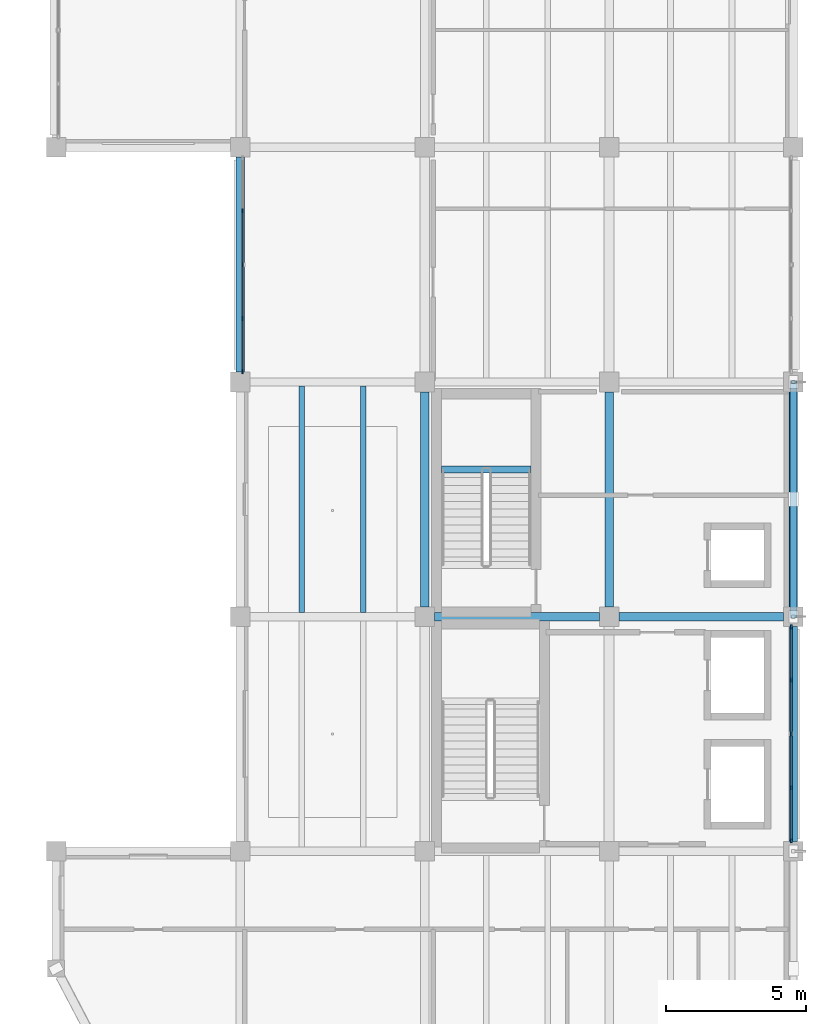
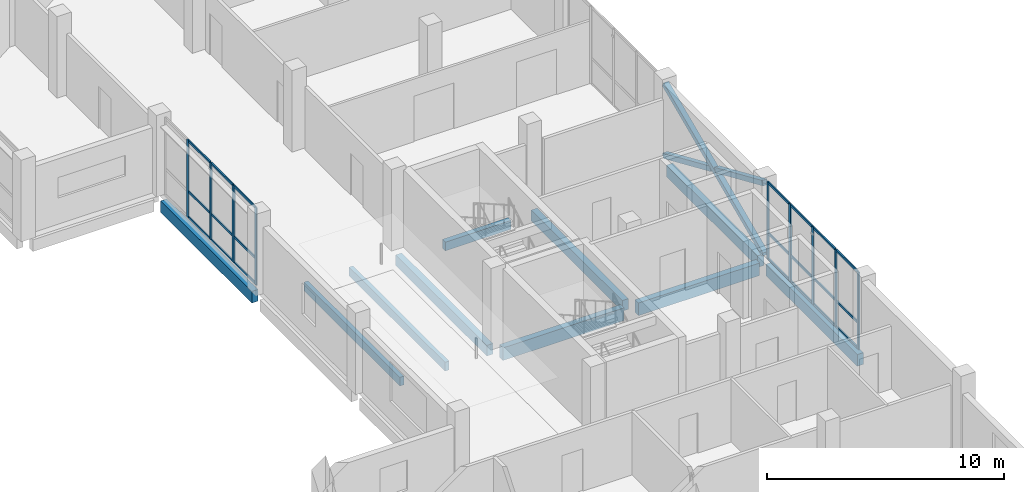
# One storey, part 17 of 47: 33 members, 10 beams, 2 elements without a shape of their own.
"""IFC4 building model written with IfcOpenShell, lengths in metres."""

from ifc_helpers import new_model, si_unit, direction, frame, origin, origin_2d, place, context, subcontext, project, spatial, rectangle, hollow_rectangle, extrude, material, material_profile, profile_set, type_object, element, aggregate, save


model = new_model("IFC4")

# Units and contexts
model_context = context("Model", 3, precision=1e-05, world=origin(), true_north=direction((0.0, 1.0)))
body_context = subcontext(model_context, "Body", "Model", "MODEL_VIEW")
ifc_project = project(units=[si_unit("LENGTHUNIT", "METRE"), si_unit("AREAUNIT", "SQUARE_METRE"), si_unit("VOLUMEUNIT", "CUBIC_METRE"), si_unit("PLANEANGLEUNIT", "RADIAN"), si_unit("MASSUNIT", "GRAM", prefix="KILO")], contexts=[model_context])

# Site, building, storey
site_placement = place(None, origin())
site = spatial("IfcSite", under=ifc_project, at=site_placement, CompositionType="ELEMENT")
building_placement = place(site_placement, origin())
building = spatial("IfcBuilding", under=site, at=building_placement, Name="Qaldarim Faculty of Natural and Applied Sciences", CompositionType="ELEMENT")
storey_placement = place(building_placement, frame((0.0, 0.0, 22.800048828125)))
storey = spatial("IfcBuildingStorey", under=building, at=storey_placement, Name="L05", CompositionType="ELEMENT", Elevation=22.800048828125)

# Beams
ifc_material_1 = material(Name="Concrete C40/50", Category="concrete")
ifc_material_profile_1 = material_profile(ifc_material_1, rectangle(XDim=0.300048828125, YDim=0.550048828125, at=origin_2d()), Name="RC-B300x550")
ifc_profile_set_1 = profile_set([ifc_material_profile_1], Name="Concrete C40/50")
beam_type_1 = type_object("IfcBeamType", Name="FloorBeam-RC300x550", PredefinedType="BEAM", material=ifc_profile_set_1)
for number, where, z_axis, x_axis, name in (
    (1, (165.0, 25.550048828125, -0.53515625), (0.0, 1.0, 0.0), (-1.0, 0.0, 0.0), "Beam RC-B300x550 L04 X26/Y04-Y05"),
    (2, (171.60009765625, 25.550048828125, -0.53515625), (0.0, 1.0, 0.0), (-1.0, 0.0, 0.0), "Beam RC-B300x550 L04 X27/Y04-Y05"),
):
    element("IfcBeam", number, at=place(storey_placement, frame(where, z_axis=z_axis, x_axis=x_axis)), inside=storey, type_object=beam_type_1, Name=name, PredefinedType="BEAM", context=body_context, shape_type="SweptSolid", body=[
        extrude(rectangle(XDim=0.300048828125, YDim=0.550048828125, at=origin_2d()), origin(), (0.0, 0.0, 1.0), 7.699951171875),
    ])
ifc_material_profile_2 = material_profile(ifc_material_1, rectangle(XDim=0.199951171875, YDim=0.449951171875, at=origin_2d()), Name="RC-J200x450")
ifc_profile_set_2 = profile_set([ifc_material_profile_2], Name="Concrete C40/50")
beam_type_2 = type_object("IfcBeamType", Name="LabJoist-RC200x450", PredefinedType="JOIST", material=ifc_profile_set_2)
for number, where, z_axis, x_axis, name in (
    (3, (160.60009765625, 25.35009765625, -0.485107421875), (0.0, 1.0, 0.0), (-1.0, 0.0, 0.0), "Laboratory joist L04 bay X25Y04-1"),
    (4, (162.800048828125, 25.35009765625, -0.485107421875), (0.0, 1.0, 0.0), (-1.0, 0.0, 0.0), "Laboratory joist L04 bay X25Y04-2"),
):
    element("IfcBeam", number, at=place(storey_placement, frame(where, z_axis=z_axis, x_axis=x_axis)), inside=storey, type_object=beam_type_2, Name=name, PredefinedType="JOIST", context=body_context, shape_type="SweptSolid", body=[
        extrude(rectangle(XDim=0.199951171875, YDim=0.449951171875, at=origin_2d()), origin(), (0.0, 0.0, 1.0), 8.099853515625),
    ])
ifc_material_profile_3 = material_profile(ifc_material_1, rectangle(XDim=0.25, YDim=0.449951171875, at=origin_2d()), Name="RC-LN250x450")
ifc_profile_set_3 = profile_set([ifc_material_profile_3], Name="Concrete C40/50")
beam_type_3 = type_object("IfcBeamType", Name="LandingSupportBeam-RC250x450", PredefinedType="BEAM", material=ifc_profile_set_3)
beam_1_placement = place(storey_placement, frame((165.60009765625, 30.469970703125, 1.6650390625), z_axis=(1.0, 0.0, 0.0), x_axis=(0.0, 1.0, 0.0)))
element("IfcBeam", 5, at=beam_1_placement, inside=storey, type_object=beam_type_3, Name="Stair landing support beam ST-A2 L05", PredefinedType="BEAM", context=body_context, shape_type="SweptSolid", body=[
    extrude(rectangle(XDim=0.25, YDim=0.449951171875, at=origin_2d()), origin(), (0.0, 0.0, 1.0), 3.199951171875),
])

# Members
ifc_material_2 = material(Name="Structural steel S355", Category="steel")
ifc_material_profile_4 = material_profile(ifc_material_2, hollow_rectangle(XDim=0.25, YDim=0.25, WallThickness=0.01611328125, at=origin_2d()), Name="SHS 250x250x16.0")
ifc_profile_set_4 = profile_set([ifc_material_profile_4], Name="Structural steel S355")
member_type_1 = type_object("IfcMemberType", Name="MidWingBrace-SHS250x16", PredefinedType="BRACE", material=ifc_profile_set_4)
member_1_placement = place(storey_placement, frame((178.199951171875, 25.199951171875, 0.0), z_axis=(0.0, 0.915962323067, 0.401264280396), x_axis=(-1.0, 0.0, 0.0)))
element("IfcMember", 6, at=member_1_placement, inside=storey, type_object=member_type_1, Name="Upper east diagrid L05 primary brace L", PredefinedType="BRACE", context=body_context, shape_type="SweptSolid", body=[
    extrude(hollow_rectangle(XDim=0.25, YDim=0.25, WallThickness=0.01611328125, at=origin_2d()), origin(), (0.0, 0.0, 1.0), 9.1708984375),
])
for number, where, z_axis, x_axis, name in (
    (7, (178.199951171875, 33.60009765625, 0.0), (0.0, -0.916157334902, 0.40081883402), (1.0, 0.0, 0.0), "Upper east diagrid L05 split secondary lower brace R1"),
    (8, (178.199951171875, 29.199951171875, 1.929931640625), (0.0, -0.916157334902, 0.40081883402), (1.0, 0.0, 0.0), "Upper east diagrid L05 split secondary upper brace R2"),
):
    element("IfcMember", number, at=place(storey_placement, frame(where, z_axis=z_axis, x_axis=x_axis)), inside=storey, type_object=member_type_1, Name=name, PredefinedType="BRACE", context=body_context, shape_type="SweptSolid", body=[
        extrude(hollow_rectangle(XDim=0.25, YDim=0.25, WallThickness=0.01611328125, at=origin_2d()), origin(), (0.0, 0.0, 1.0), 4.365966796875),
    ])

# Curtain wall, members
ifc_material_3 = material(Name="Anodised aluminium AW-6063", Category="aluminium")
curtain_wall_type = type_object("IfcCurtainWallType", Name="CurtainWallSystem-M1800", PredefinedType="USERDEFINED", material=ifc_material_3)
curtain_wall_1_placement = place(storey_placement, origin())
curtain_wall_1 = element("IfcCurtainWall", 9, at=curtain_wall_1_placement, inside=storey, type_object=curtain_wall_type, Name="Curtain wall CW-L05-W-X25Y05", ObjectType="UNITISED FACADE", PredefinedType="USERDEFINED")
ifc_material_profile_5 = material_profile(ifc_material_3, rectangle(XDim=0.06005859375, YDim=0.14990234375, at=origin_2d()), Name="ALU-M60x150")
ifc_profile_set_5 = profile_set([ifc_material_profile_5], Name="Anodised aluminium AW-6063")
member_type_2 = type_object("IfcMemberType", Name="Mullion-ALU60x150", PredefinedType="MULLION", material=ifc_profile_set_5)
member_2_placement = place(storey_placement, frame((158.47998046875, 39.7275390625, 0.0), z_axis=(0.0, 0.0, 1.0), x_axis=(1.0, 0.0, 0.0)))
member_2 = element("IfcMember", 10, at=member_2_placement, type_object=member_type_2, Name="Mullion 2 of CW-L05-W-X25Y05", PredefinedType="MULLION", context=body_context, shape_type="SweptSolid", body=[
    extrude(rectangle(XDim=0.06005859375, YDim=0.14990234375, at=origin_2d()), origin(), (0.0, 0.0, 1.0), 3.97998046875),
])
member_3_placement = place(storey_placement, frame((158.47998046875, 37.800048828125, 0.0), z_axis=(0.0, 0.0, 1.0), x_axis=(1.0, 0.0, 0.0)))
member_3 = element("IfcMember", 11, at=member_3_placement, type_object=member_type_2, Name="Mullion 3 of CW-L05-W-X25Y05", PredefinedType="MULLION", context=body_context, shape_type="SweptSolid", body=[
    extrude(rectangle(XDim=0.06005859375, YDim=0.14990234375, at=origin_2d()), origin(), (0.0, 0.0, 1.0), 3.97998046875),
])
member_4_placement = place(storey_placement, frame((158.47998046875, 35.87255859375, 0.0), z_axis=(0.0, 0.0, 1.0), x_axis=(1.0, 0.0, 0.0)))
member_4 = element("IfcMember", 12, at=member_4_placement, type_object=member_type_2, Name="Mullion 4 of CW-L05-W-X25Y05", PredefinedType="MULLION", context=body_context, shape_type="SweptSolid", body=[
    extrude(rectangle(XDim=0.06005859375, YDim=0.14990234375, at=origin_2d()), origin(), (0.0, 0.0, 1.0), 3.97998046875),
])
member_5_placement = place(storey_placement, frame((158.47998046875, 33.97509765625, 0.0), z_axis=(0.0, 0.0, 1.0), x_axis=(1.0, 0.0, 0.0)))
member_5 = element("IfcMember", 13, at=member_5_placement, type_object=member_type_2, Name="Mullion 5 of CW-L05-W-X25Y05", PredefinedType="MULLION", context=body_context, shape_type="SweptSolid", body=[
    extrude(rectangle(XDim=0.06005859375, YDim=0.14990234375, at=origin_2d()), origin(), (0.0, 0.0, 1.0), 3.97998046875),
])

curtain_wall_2_placement = place(storey_placement, origin())
curtain_wall_2 = element("IfcCurtainWall", 14, at=curtain_wall_2_placement, inside=storey, type_object=curtain_wall_type, Name="Curtain wall CW-L05-E-X27Y03", ObjectType="UNITISED FACADE", PredefinedType="USERDEFINED")
member_6_placement = place(storey_placement, frame((178.1201171875, 17.175048828125, 0.0), z_axis=(0.0, 0.0, 1.0), x_axis=(-1.0, 0.0, 0.0)))
member_6 = element("IfcMember", 15, at=member_6_placement, type_object=member_type_2, Name="Mullion 1 of CW-L05-E-X27Y03", PredefinedType="MULLION", context=body_context, shape_type="SweptSolid", body=[
    extrude(rectangle(XDim=0.06005859375, YDim=0.14990234375, at=origin_2d()), origin(), (0.0, 0.0, 1.0), 3.97998046875),
])
member_7_placement = place(storey_placement, frame((178.1201171875, 19.072509765625, 0.0), z_axis=(0.0, 0.0, 1.0), x_axis=(-1.0, 0.0, 0.0)))
member_7 = element("IfcMember", 16, at=member_7_placement, type_object=member_type_2, Name="Mullion 2 of CW-L05-E-X27Y03", PredefinedType="MULLION", context=body_context, shape_type="SweptSolid", body=[
    extrude(rectangle(XDim=0.06005859375, YDim=0.14990234375, at=origin_2d()), origin(), (0.0, 0.0, 1.0), 3.97998046875),
])
member_8_placement = place(storey_placement, frame((178.1201171875, 21.0, 0.0), z_axis=(0.0, 0.0, 1.0), x_axis=(-1.0, 0.0, 0.0)))
member_8 = element("IfcMember", 17, at=member_8_placement, type_object=member_type_2, Name="Mullion 3 of CW-L05-E-X27Y03", PredefinedType="MULLION", context=body_context, shape_type="SweptSolid", body=[
    extrude(rectangle(XDim=0.06005859375, YDim=0.14990234375, at=origin_2d()), origin(), (0.0, 0.0, 1.0), 3.97998046875),
])
member_9_placement = place(storey_placement, frame((178.1201171875, 22.927490234375, 0.0), z_axis=(0.0, 0.0, 1.0), x_axis=(-1.0, 0.0, 0.0)))
member_9 = element("IfcMember", 18, at=member_9_placement, type_object=member_type_2, Name="Mullion 4 of CW-L05-E-X27Y03", PredefinedType="MULLION", context=body_context, shape_type="SweptSolid", body=[
    extrude(rectangle(XDim=0.06005859375, YDim=0.14990234375, at=origin_2d()), origin(), (0.0, 0.0, 1.0), 3.97998046875),
])
member_10_placement = place(storey_placement, frame((178.1201171875, 24.824951171875, 0.0), z_axis=(0.0, 0.0, 1.0), x_axis=(-1.0, 0.0, 0.0)))
member_10 = element("IfcMember", 19, at=member_10_placement, type_object=member_type_2, Name="Mullion 5 of CW-L05-E-X27Y03", PredefinedType="MULLION", context=body_context, shape_type="SweptSolid", body=[
    extrude(rectangle(XDim=0.06005859375, YDim=0.14990234375, at=origin_2d()), origin(), (0.0, 0.0, 1.0), 3.97998046875),
])

# Beams
ifc_material_profile_6 = material_profile(ifc_material_1, rectangle(XDim=0.300048828125, YDim=0.64990234375, at=origin_2d()), Name="RC-B300x650")
ifc_profile_set_6 = profile_set([ifc_material_profile_6], Name="Concrete C40/50")
beam_type_4 = type_object("IfcBeamType", Name="PrimaryBeam-RC300x650", PredefinedType="BEAM", material=ifc_profile_set_6)
beam_2_placement = place(storey_placement, frame((165.35009765625, 25.199951171875, -0.5849609375), z_axis=(1.0, 0.0, 0.0), x_axis=(0.0, 1.0, 0.0)))
element("IfcBeam", 20, at=beam_2_placement, inside=storey, type_object=beam_type_4, Name="Beam RC-B300x650 L04 X26-X27/Y04", PredefinedType="BEAM", context=body_context, shape_type="SweptSolid", body=[
    extrude(rectangle(XDim=0.300048828125, YDim=0.64990234375, at=origin_2d()), origin(), (0.0, 0.0, 1.0), 5.89990234375),
])
beam_3_placement = place(storey_placement, frame((171.949951171875, 25.199951171875, -0.5849609375), z_axis=(1.0, 0.0, 0.0), x_axis=(0.0, 1.0, 0.0)))
element("IfcBeam", 21, at=beam_3_placement, inside=storey, type_object=beam_type_4, Name="Beam RC-B300x650 L04 X27-X28/Y04", PredefinedType="BEAM", context=body_context, shape_type="SweptSolid", body=[
    extrude(rectangle(XDim=0.300048828125, YDim=0.64990234375, at=origin_2d()), origin(), (0.0, 0.0, 1.0), 5.900146484375),
])
ifc_material_4 = material(Name="Precast concrete C40/50", Category="concrete")
ifc_material_profile_7 = material_profile(ifc_material_4, rectangle(XDim=0.300048828125, YDim=0.60009765625, at=origin_2d()), Name="RC-SP300x600")
ifc_profile_set_7 = profile_set([ifc_material_profile_7], Name="Precast concrete C40/50")
beam_type_5 = type_object("IfcBeamType", Name="SpandrelBeam-RC300x600", PredefinedType="SPANDREL", material=ifc_profile_set_7)
beam_4_placement = place(storey_placement, frame((158.39990234375, 33.949951171875, -0.56005859375), z_axis=(0.0, 1.0, 0.0), x_axis=(-1.0, 0.0, 0.0)))
element("IfcBeam", 22, at=beam_4_placement, inside=storey, type_object=beam_type_5, Name="Beam RC-SP300x600 L04 X25/Y05-Y06", PredefinedType="SPANDREL", context=body_context, shape_type="SweptSolid", body=[
    extrude(rectangle(XDim=0.300048828125, YDim=0.60009765625, at=origin_2d()), origin(), (0.0, 0.0, 1.0), 7.699951171875),
])
beam_5_placement = place(storey_placement, frame((178.199951171875, 17.14990234375, -0.56005859375), z_axis=(0.0, 1.0, 0.0), x_axis=(-1.0, 0.0, 0.0)))
element("IfcBeam", 23, at=beam_5_placement, inside=storey, type_object=beam_type_5, Name="Beam RC-SP300x600 L04 X28/Y03-Y04", PredefinedType="SPANDREL", context=body_context, shape_type="SweptSolid", body=[
    extrude(rectangle(XDim=0.300048828125, YDim=0.60009765625, at=origin_2d()), origin(), (0.0, 0.0, 1.0), 7.7001953125),
])
beam_6_placement = place(storey_placement, frame((178.199951171875, 25.550048828125, -0.56005859375), z_axis=(0.0, 1.0, 0.0), x_axis=(-1.0, 0.0, 0.0)))
element("IfcBeam", 24, at=beam_6_placement, inside=storey, type_object=beam_type_5, Name="Beam RC-SP300x600 L04 X28/Y04-Y05", PredefinedType="SPANDREL", context=body_context, shape_type="SweptSolid", body=[
    extrude(rectangle(XDim=0.300048828125, YDim=0.60009765625, at=origin_2d()), origin(), (0.0, 0.0, 1.0), 7.699951171875),
])

# Member
ifc_material_profile_8 = material_profile(ifc_material_3, rectangle(XDim=0.06005859375, YDim=0.1201171875, at=origin_2d()), Name="ALU-T60x120")
ifc_profile_set_8 = profile_set([ifc_material_profile_8], Name="Anodised aluminium AW-6063")
member_type_3 = type_object("IfcMemberType", Name="Transom-ALU60x120", PredefinedType="USERDEFINED", material=ifc_profile_set_8)
member_11_placement = place(storey_placement, frame((158.47998046875, 39.697509765625, 0.030029296875), z_axis=(0.0, -1.0, 0.0), x_axis=(1.0, 0.0, 0.0)))
member_11 = element("IfcMember", 25, at=member_11_placement, type_object=member_type_3, Name="Transom 2-1 of CW-L05-W-X25Y05", ObjectType="TRANSOM", PredefinedType="USERDEFINED", context=body_context, shape_type="SweptSolid", body=[
    extrude(rectangle(XDim=0.06005859375, YDim=0.1201171875, at=origin_2d()), origin(), (0.0, 0.0, 1.0), 1.867431640625),
])

member_12_placement = place(storey_placement, frame((158.47998046875, 39.697509765625, 1.349853515625), z_axis=(0.0, -1.0, 0.0), x_axis=(1.0, 0.0, 0.0)))
member_12 = element("IfcMember", 26, at=member_12_placement, type_object=member_type_3, Name="Transom 2-2 of CW-L05-W-X25Y05", ObjectType="TRANSOM", PredefinedType="USERDEFINED", context=body_context, shape_type="SweptSolid", body=[
    extrude(rectangle(XDim=0.06005859375, YDim=0.1201171875, at=origin_2d()), origin(), (0.0, 0.0, 1.0), 1.867431640625),
])

member_13_placement = place(storey_placement, frame((158.47998046875, 39.697509765625, 3.949951171875), z_axis=(0.0, -1.0, 0.0), x_axis=(1.0, 0.0, 0.0)))
member_13 = element("IfcMember", 27, at=member_13_placement, type_object=member_type_3, Name="Transom 2-3 of CW-L05-W-X25Y05", ObjectType="TRANSOM", PredefinedType="USERDEFINED", context=body_context, shape_type="SweptSolid", body=[
    extrude(rectangle(XDim=0.06005859375, YDim=0.1201171875, at=origin_2d()), origin(), (0.0, 0.0, 1.0), 1.867431640625),
])

member_14_placement = place(storey_placement, frame((158.47998046875, 37.77001953125, 0.030029296875), z_axis=(0.0, -1.0, 0.0), x_axis=(1.0, 0.0, 0.0)))
member_14 = element("IfcMember", 28, at=member_14_placement, type_object=member_type_3, Name="Transom 3-1 of CW-L05-W-X25Y05", ObjectType="TRANSOM", PredefinedType="USERDEFINED", context=body_context, shape_type="SweptSolid", body=[
    extrude(rectangle(XDim=0.06005859375, YDim=0.1201171875, at=origin_2d()), origin(), (0.0, 0.0, 1.0), 1.867431640625),
])

member_15_placement = place(storey_placement, frame((158.47998046875, 37.77001953125, 1.349853515625), z_axis=(0.0, -1.0, 0.0), x_axis=(1.0, 0.0, 0.0)))
member_15 = element("IfcMember", 29, at=member_15_placement, type_object=member_type_3, Name="Transom 3-2 of CW-L05-W-X25Y05", ObjectType="TRANSOM", PredefinedType="USERDEFINED", context=body_context, shape_type="SweptSolid", body=[
    extrude(rectangle(XDim=0.06005859375, YDim=0.1201171875, at=origin_2d()), origin(), (0.0, 0.0, 1.0), 1.867431640625),
])

member_16_placement = place(storey_placement, frame((158.47998046875, 37.77001953125, 3.949951171875), z_axis=(0.0, -1.0, 0.0), x_axis=(1.0, 0.0, 0.0)))
member_16 = element("IfcMember", 30, at=member_16_placement, type_object=member_type_3, Name="Transom 3-3 of CW-L05-W-X25Y05", ObjectType="TRANSOM", PredefinedType="USERDEFINED", context=body_context, shape_type="SweptSolid", body=[
    extrude(rectangle(XDim=0.06005859375, YDim=0.1201171875, at=origin_2d()), origin(), (0.0, 0.0, 1.0), 1.867431640625),
])

member_17_placement = place(storey_placement, frame((158.47998046875, 35.842529296875, 0.030029296875), z_axis=(0.0, -1.0, 0.0), x_axis=(1.0, 0.0, 0.0)))
member_17 = element("IfcMember", 31, at=member_17_placement, type_object=member_type_3, Name="Transom 4-1 of CW-L05-W-X25Y05", ObjectType="TRANSOM", PredefinedType="USERDEFINED", context=body_context, shape_type="SweptSolid", body=[
    extrude(rectangle(XDim=0.06005859375, YDim=0.1201171875, at=origin_2d()), origin(), (0.0, 0.0, 1.0), 1.837646484375),
])

member_18_placement = place(storey_placement, frame((158.47998046875, 35.842529296875, 1.349853515625), z_axis=(0.0, -1.0, 0.0), x_axis=(1.0, 0.0, 0.0)))
member_18 = element("IfcMember", 32, at=member_18_placement, type_object=member_type_3, Name="Transom 4-2 of CW-L05-W-X25Y05", ObjectType="TRANSOM", PredefinedType="USERDEFINED", context=body_context, shape_type="SweptSolid", body=[
    extrude(rectangle(XDim=0.06005859375, YDim=0.1201171875, at=origin_2d()), origin(), (0.0, 0.0, 1.0), 1.837646484375),
])

member_19_placement = place(storey_placement, frame((158.47998046875, 35.842529296875, 3.949951171875), z_axis=(0.0, -1.0, 0.0), x_axis=(1.0, 0.0, 0.0)))
member_19 = element("IfcMember", 33, at=member_19_placement, type_object=member_type_3, Name="Transom 4-3 of CW-L05-W-X25Y05", ObjectType="TRANSOM", PredefinedType="USERDEFINED", context=body_context, shape_type="SweptSolid", body=[
    extrude(rectangle(XDim=0.06005859375, YDim=0.1201171875, at=origin_2d()), origin(), (0.0, 0.0, 1.0), 1.837646484375),
])

aggregate(curtain_wall_1, [member_2, member_3, member_4, member_5, member_11, member_12, member_13, member_14, member_15, member_16, member_17, member_18, member_19])

member_20_placement = place(storey_placement, frame((178.1201171875, 17.205078125, 0.030029296875), z_axis=(0.0, 1.0, 0.0), x_axis=(-1.0, 0.0, 0.0)))
member_20 = element("IfcMember", 34, at=member_20_placement, type_object=member_type_3, Name="Transom 1-1 of CW-L05-E-X27Y03", ObjectType="TRANSOM", PredefinedType="USERDEFINED", context=body_context, shape_type="SweptSolid", body=[
    extrude(rectangle(XDim=0.06005859375, YDim=0.1201171875, at=origin_2d()), origin(), (0.0, 0.0, 1.0), 1.83740234375),
])

member_21_placement = place(storey_placement, frame((178.1201171875, 17.205078125, 1.349853515625), z_axis=(0.0, 1.0, 0.0), x_axis=(-1.0, 0.0, 0.0)))
member_21 = element("IfcMember", 35, at=member_21_placement, type_object=member_type_3, Name="Transom 1-2 of CW-L05-E-X27Y03", ObjectType="TRANSOM", PredefinedType="USERDEFINED", context=body_context, shape_type="SweptSolid", body=[
    extrude(rectangle(XDim=0.06005859375, YDim=0.1201171875, at=origin_2d()), origin(), (0.0, 0.0, 1.0), 1.83740234375),
])

member_22_placement = place(storey_placement, frame((178.1201171875, 17.205078125, 3.949951171875), z_axis=(0.0, 1.0, 0.0), x_axis=(-1.0, 0.0, 0.0)))
member_22 = element("IfcMember", 36, at=member_22_placement, type_object=member_type_3, Name="Transom 1-3 of CW-L05-E-X27Y03", ObjectType="TRANSOM", PredefinedType="USERDEFINED", context=body_context, shape_type="SweptSolid", body=[
    extrude(rectangle(XDim=0.06005859375, YDim=0.1201171875, at=origin_2d()), origin(), (0.0, 0.0, 1.0), 1.83740234375),
])

member_23_placement = place(storey_placement, frame((178.1201171875, 19.1025390625, 0.030029296875), z_axis=(0.0, 1.0, 0.0), x_axis=(-1.0, 0.0, 0.0)))
member_23 = element("IfcMember", 37, at=member_23_placement, type_object=member_type_3, Name="Transom 2-1 of CW-L05-E-X27Y03", ObjectType="TRANSOM", PredefinedType="USERDEFINED", context=body_context, shape_type="SweptSolid", body=[
    extrude(rectangle(XDim=0.06005859375, YDim=0.1201171875, at=origin_2d()), origin(), (0.0, 0.0, 1.0), 1.867431640625),
])

member_24_placement = place(storey_placement, frame((178.1201171875, 19.1025390625, 1.349853515625), z_axis=(0.0, 1.0, 0.0), x_axis=(-1.0, 0.0, 0.0)))
member_24 = element("IfcMember", 38, at=member_24_placement, type_object=member_type_3, Name="Transom 2-2 of CW-L05-E-X27Y03", ObjectType="TRANSOM", PredefinedType="USERDEFINED", context=body_context, shape_type="SweptSolid", body=[
    extrude(rectangle(XDim=0.06005859375, YDim=0.1201171875, at=origin_2d()), origin(), (0.0, 0.0, 1.0), 1.867431640625),
])

member_25_placement = place(storey_placement, frame((178.1201171875, 19.1025390625, 3.949951171875), z_axis=(0.0, 1.0, 0.0), x_axis=(-1.0, 0.0, 0.0)))
member_25 = element("IfcMember", 39, at=member_25_placement, type_object=member_type_3, Name="Transom 2-3 of CW-L05-E-X27Y03", ObjectType="TRANSOM", PredefinedType="USERDEFINED", context=body_context, shape_type="SweptSolid", body=[
    extrude(rectangle(XDim=0.06005859375, YDim=0.1201171875, at=origin_2d()), origin(), (0.0, 0.0, 1.0), 1.867431640625),
])

member_26_placement = place(storey_placement, frame((178.1201171875, 21.030029296875, 0.030029296875), z_axis=(0.0, 1.0, 0.0), x_axis=(-1.0, 0.0, 0.0)))
member_26 = element("IfcMember", 40, at=member_26_placement, type_object=member_type_3, Name="Transom 3-1 of CW-L05-E-X27Y03", ObjectType="TRANSOM", PredefinedType="USERDEFINED", context=body_context, shape_type="SweptSolid", body=[
    extrude(rectangle(XDim=0.06005859375, YDim=0.1201171875, at=origin_2d()), origin(), (0.0, 0.0, 1.0), 1.867431640625),
])

member_27_placement = place(storey_placement, frame((178.1201171875, 21.030029296875, 1.349853515625), z_axis=(0.0, 1.0, 0.0), x_axis=(-1.0, 0.0, 0.0)))
member_27 = element("IfcMember", 41, at=member_27_placement, type_object=member_type_3, Name="Transom 3-2 of CW-L05-E-X27Y03", ObjectType="TRANSOM", PredefinedType="USERDEFINED", context=body_context, shape_type="SweptSolid", body=[
    extrude(rectangle(XDim=0.06005859375, YDim=0.1201171875, at=origin_2d()), origin(), (0.0, 0.0, 1.0), 1.867431640625),
])

member_28_placement = place(storey_placement, frame((178.1201171875, 21.030029296875, 3.949951171875), z_axis=(0.0, 1.0, 0.0), x_axis=(-1.0, 0.0, 0.0)))
member_28 = element("IfcMember", 42, at=member_28_placement, type_object=member_type_3, Name="Transom 3-3 of CW-L05-E-X27Y03", ObjectType="TRANSOM", PredefinedType="USERDEFINED", context=body_context, shape_type="SweptSolid", body=[
    extrude(rectangle(XDim=0.06005859375, YDim=0.1201171875, at=origin_2d()), origin(), (0.0, 0.0, 1.0), 1.867431640625),
])

member_29_placement = place(storey_placement, frame((178.1201171875, 22.95751953125, 0.030029296875), z_axis=(0.0, 1.0, 0.0), x_axis=(-1.0, 0.0, 0.0)))
member_29 = element("IfcMember", 43, at=member_29_placement, type_object=member_type_3, Name="Transom 4-1 of CW-L05-E-X27Y03", ObjectType="TRANSOM", PredefinedType="USERDEFINED", context=body_context, shape_type="SweptSolid", body=[
    extrude(rectangle(XDim=0.06005859375, YDim=0.1201171875, at=origin_2d()), origin(), (0.0, 0.0, 1.0), 1.83740234375),
])

member_30_placement = place(storey_placement, frame((178.1201171875, 22.95751953125, 1.349853515625), z_axis=(0.0, 1.0, 0.0), x_axis=(-1.0, 0.0, 0.0)))
member_30 = element("IfcMember", 44, at=member_30_placement, type_object=member_type_3, Name="Transom 4-2 of CW-L05-E-X27Y03", ObjectType="TRANSOM", PredefinedType="USERDEFINED", context=body_context, shape_type="SweptSolid", body=[
    extrude(rectangle(XDim=0.06005859375, YDim=0.1201171875, at=origin_2d()), origin(), (0.0, 0.0, 1.0), 1.83740234375),
])

member_31_placement = place(storey_placement, frame((178.1201171875, 22.95751953125, 3.949951171875), z_axis=(0.0, 1.0, 0.0), x_axis=(-1.0, 0.0, 0.0)))
member_31 = element("IfcMember", 45, at=member_31_placement, type_object=member_type_3, Name="Transom 4-3 of CW-L05-E-X27Y03", ObjectType="TRANSOM", PredefinedType="USERDEFINED", context=body_context, shape_type="SweptSolid", body=[
    extrude(rectangle(XDim=0.06005859375, YDim=0.1201171875, at=origin_2d()), origin(), (0.0, 0.0, 1.0), 1.83740234375),
])

aggregate(curtain_wall_2, [member_6, member_7, member_8, member_9, member_10, member_20, member_21, member_22, member_23, member_24, member_25, member_26, member_27, member_28, member_29, member_30, member_31])

save(model, "model.ifc")
